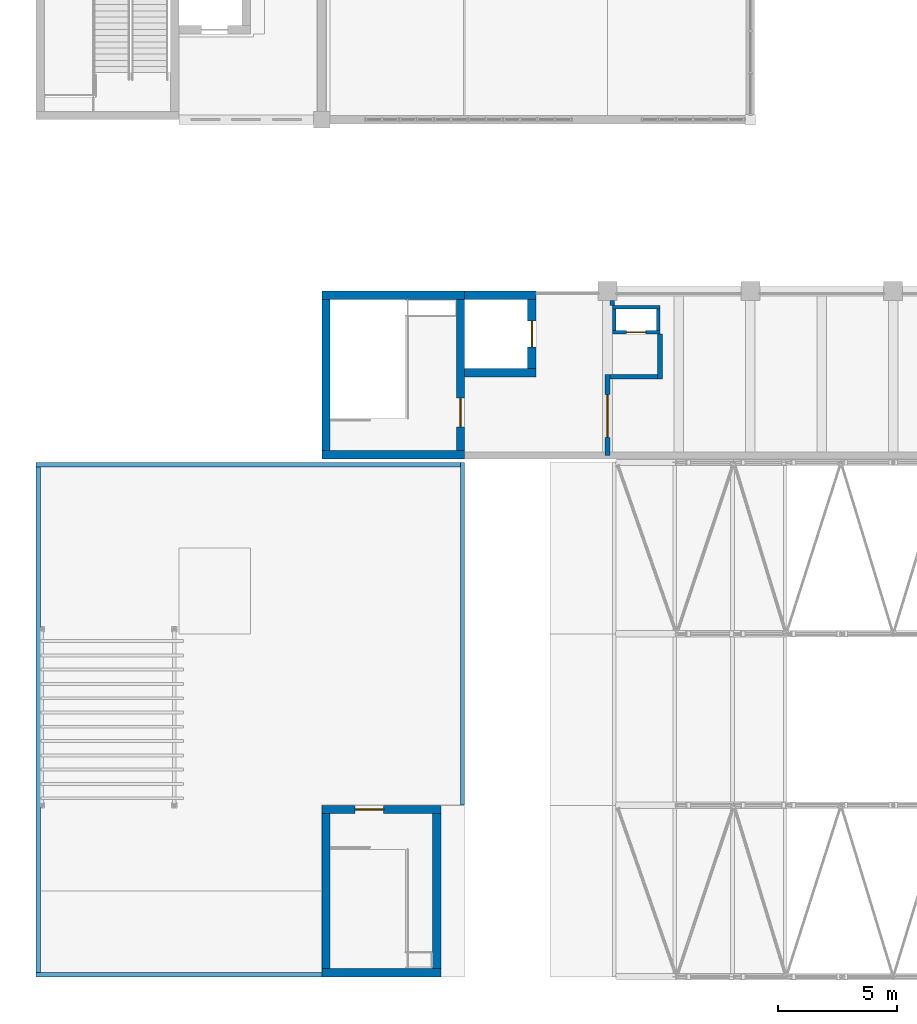
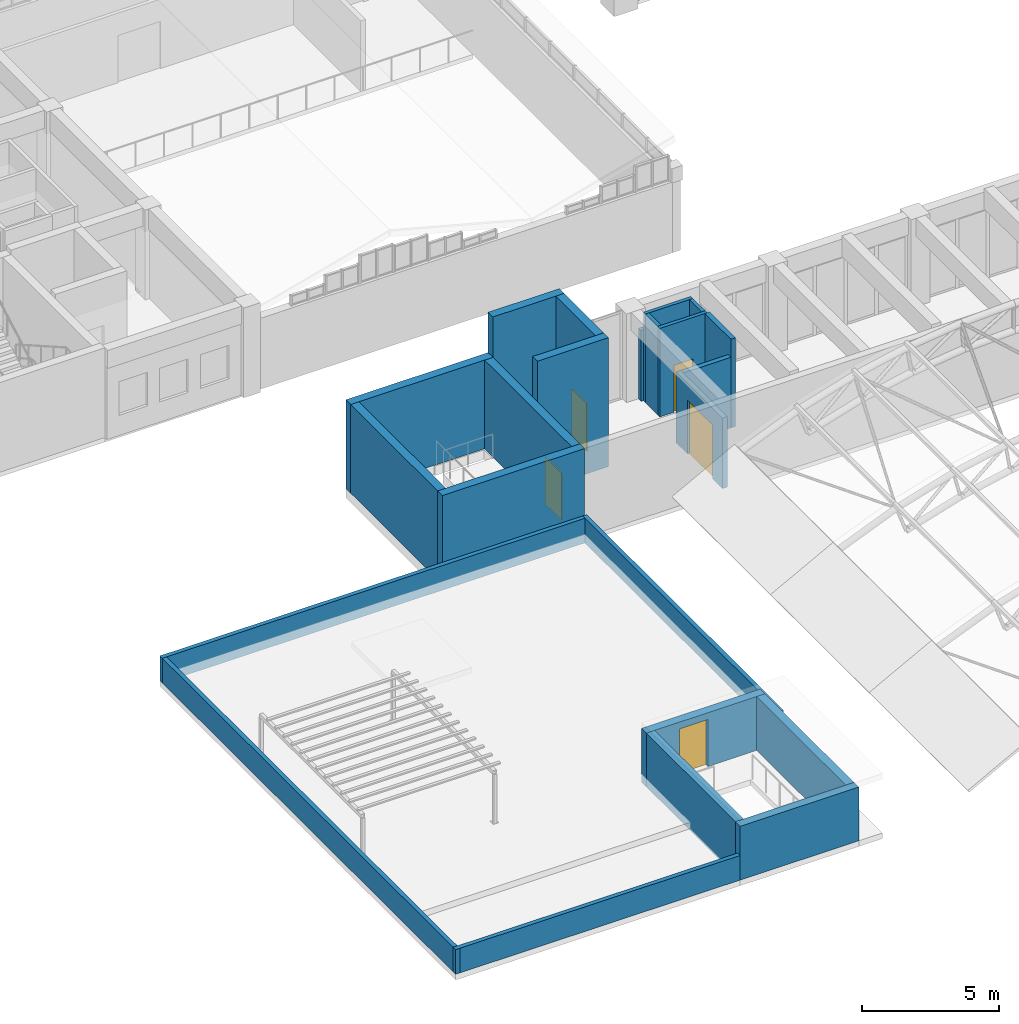
# One storey, part 60 of 92: 23 walls, 5 doors, 5 openings.
"""IFC4 building model written with IfcOpenShell, lengths in metres."""

from ifc_helpers import new_model, si_unit, direction, frame, frame_2d, origin, place, context, subcontext, project, spatial, rectangle, extrude, material, layer, layer_set, type_object, element, fill, save


model = new_model("IFC4")

# Units and contexts
model_context = context("Model", 3, precision=1e-05, world=origin(), true_north=direction((0.0, 1.0)))
body_context = subcontext(model_context, "Body", "Model", "MODEL_VIEW")
ifc_project = project(units=[si_unit("LENGTHUNIT", "METRE"), si_unit("AREAUNIT", "SQUARE_METRE"), si_unit("VOLUMEUNIT", "CUBIC_METRE"), si_unit("PLANEANGLEUNIT", "RADIAN"), si_unit("MASSUNIT", "GRAM", prefix="KILO")], contexts=[model_context])

# Site, building, storey
site_placement = place(None, origin())
site = spatial("IfcSite", under=ifc_project, at=site_placement, CompositionType="ELEMENT")
building_placement = place(site_placement, origin())
building = spatial("IfcBuilding", under=site, at=building_placement, Name="Laocheng Heights Fire and Rescue Headquarters", CompositionType="ELEMENT")
storey_placement = place(building_placement, frame((0.0, 0.0, 12.60009765625)))
storey = spatial("IfcBuildingStorey", under=building, at=storey_placement, Name="L03", CompositionType="ELEMENT", Elevation=12.60009765625)

# Wall, opening, door
ifc_material_1 = material(Name="Gypsum plaster")
ifc_layer_1 = layer(ifc_material_1, 0.010009765625, Name="PLASTER", Category="plaster")
ifc_material_2 = material(Name="Concrete blockwork MU10", Category="masonry")
ifc_layer_2 = layer(ifc_material_2, 0.179931640625, Name="BLOCKWORK", Category="masonry")
ifc_layer_3 = layer(ifc_material_1, 0.010009765625, Name="PLASTER", Category="plaster")
ifc_layer_set_1 = layer_set([ifc_layer_1, ifc_layer_2, ifc_layer_3], Name="Concrete blockwork MU10")
wall_type_1 = type_object("IfcWallType", Name="BLOCKWORK FIRE PARTITION 200 EI 60 GALLERY", PredefinedType="PARTITIONING", material=ifc_layer_set_1)
wall_1_placement = place(storey_placement, frame((24.0, 21.89990234375, 0.0), z_axis=(0.0, 0.0, 1.0), x_axis=(0.0, 1.0, 0.0)))
wall_1 = element("IfcWall", 1, at=wall_1_placement, inside=storey, type_object=wall_type_1, Name="Partition L03-001", PredefinedType="PARTITIONING", context=body_context, shape_type="SweptSolid", body=[
    extrude(rectangle(XDim=3.400146484375, YDim=0.199951171875, at=frame_2d((1.7001953125, 0.0))), origin(), (0.0, 0.0, 1.0), 3.14990234375),
])
opening_1_placement = place(wall_1_placement, frame((0.75, 0.0, 0.0)))
opening_1 = element("IfcOpeningElement", 2, at=opening_1_placement, cuts=wall_1, Name="Opening L03-M01", PredefinedType="OPENING", context=body_context, shape_type="SweptSolid", body=[
    extrude(rectangle(XDim=1.800048828125, YDim=2.39990234375, at=frame_2d((0.89990234375, 1.199951171875))), frame((0.0, 0.10986328125, 0.0), z_axis=(0.0, -1.0, 0.0), x_axis=(1.0, 0.0, 0.0)), (0.0, 0.0, 1.0), 0.219970703125),
])
ifc_material_3 = material(Name="Steel frame, fire-resistant glazing", Category="steel")
door_type_1 = type_object("IfcDoorType", Name="FIRE-RATED GLAZED DOOR 1800x2400 EI 60 GALLERY", OperationType="DOUBLE_DOOR_SINGLE_SWING", PredefinedType="DOOR", material=ifc_material_3)
door_1_placement = place(opening_1_placement, origin())
door_1 = element("IfcDoor", 3, at=door_1_placement, inside=storey, type_object=door_type_1, Name="Door L03-M01", OperationType="DOUBLE_DOOR_SINGLE_SWING", OverallHeight=2.39990234375, OverallWidth=1.800048828125, PredefinedType="DOOR", context=body_context, shape_type="SweptSolid", body=[
    extrude(rectangle(XDim=1.800048828125, YDim=2.39990234375, at=frame_2d((0.89990234375, 1.199951171875))), frame((0.0, 0.02490234375, 0.0), z_axis=(0.0, -1.0, 0.0), x_axis=(1.0, 0.0, 0.0)), (0.0, 0.0, 1.0), 0.050048828125),
])
fill(opening_1, door_1)

# Walls
wall_2_placement = place(storey_placement, frame((24.199951171875, 28.199951171875, 0.0), z_axis=(0.0, 0.0, 1.0), x_axis=(0.0, 1.0, 0.0)))
element("IfcWall", 4, at=wall_2_placement, inside=storey, type_object=wall_type_1, Name="Partition L03-002", PredefinedType="PARTITIONING", context=body_context, shape_type="SweptSolid", body=[
    extrude(rectangle(XDim=0.199951171875, YDim=0.199951171875, at=frame_2d((0.10009765625, 0.0))), origin(), (0.0, 0.0, 1.0), 3.14990234375),
])
wall_3_placement = place(storey_placement, frame((26.199951171875, 25.10009765625, 0.0), z_axis=(0.0, 0.0, 1.0), x_axis=(0.0, 1.0, 0.0)))
element("IfcWall", 5, at=wall_3_placement, inside=storey, type_object=wall_type_1, Name="Partition L03-003", PredefinedType="PARTITIONING", context=body_context, shape_type="SweptSolid", body=[
    extrude(rectangle(XDim=1.89990234375, YDim=0.199951171875, at=frame_2d((0.949951171875, 0.0))), origin(), (0.0, 0.0, 1.0), 3.949951171875),
])
wall_4_placement = place(storey_placement, frame((24.10009765625, 25.199951171875, 0.0), z_axis=(0.0, 0.0, 1.0), x_axis=(1.0, 0.0, 0.0)))
element("IfcWall", 6, at=wall_4_placement, inside=storey, type_object=wall_type_1, Name="Partition L03-007", PredefinedType="PARTITIONING", context=body_context, shape_type="SweptSolid", body=[
    extrude(rectangle(XDim=2.0, YDim=0.199951171875, at=frame_2d((1.0, 0.0))), origin(), (0.0, 0.0, 1.0), 3.14990234375),
])
ifc_material_4 = material(Name="Precast concrete C40/50", Category="concrete")
ifc_layer_4 = layer(ifc_material_4, 0.179931640625)
ifc_layer_set_2 = layer_set([ifc_layer_4], Name="Precast concrete C40/50")
wall_type_2 = type_object("IfcWallType", Name="PRECAST PARAPET 200 x 1100", PredefinedType="PARAPET", material=ifc_layer_set_2)
wall_5_placement = place(storey_placement, frame((17.909912109375, 7.219970703125, 0.0), z_axis=(0.0, 0.0, 1.0), x_axis=(0.0, 1.0, 0.0)))
element("IfcWall", 7, at=wall_5_placement, inside=storey, type_object=wall_type_2, Name="Flank W parapet", PredefinedType="PARAPET", context=body_context, shape_type="SweptSolid", body=[
    extrude(rectangle(XDim=14.380126953125, YDim=0.179931640625, at=frame_2d((7.18994140625, 0.0))), origin(), (0.0, 0.0, 1.0), 1.099853515625),
])
wall_6_placement = place(storey_placement, frame((0.0, 21.510009765625, 0.0), z_axis=(0.0, 0.0, 1.0), x_axis=(1.0, 0.0, 0.0)))
element("IfcWall", 8, at=wall_6_placement, inside=storey, type_object=wall_type_2, Name="Flank W parapet", PredefinedType="PARAPET", context=body_context, shape_type="SweptSolid", body=[
    extrude(rectangle(XDim=18.0, YDim=0.179931640625, at=frame_2d((9.0, 0.0))), origin(), (0.0, 0.0, 1.0), 1.099853515625),
])
wall_7_placement = place(storey_placement, frame((0.090087890625, 0.0, 0.0), z_axis=(0.0, 0.0, 1.0), x_axis=(0.0, 1.0, 0.0)))
element("IfcWall", 9, at=wall_7_placement, inside=storey, type_object=wall_type_2, Name="Flank W parapet", PredefinedType="PARAPET", context=body_context, shape_type="SweptSolid", body=[
    extrude(rectangle(XDim=21.60009765625, YDim=0.179931640625, at=frame_2d((10.800048828125, 0.0))), origin(), (0.0, 0.0, 1.0), 1.099853515625),
])
wall_8_placement = place(storey_placement, frame((0.0, 0.090087890625, 0.0), z_axis=(0.0, 0.0, 1.0), x_axis=(1.0, 0.0, 0.0)))
element("IfcWall", 10, at=wall_8_placement, inside=storey, type_object=wall_type_2, Name="Flank W parapet", PredefinedType="PARAPET", context=body_context, shape_type="SweptSolid", body=[
    extrude(rectangle(XDim=12.0, YDim=0.179931640625, at=frame_2d((6.0, 0.0))), origin(), (0.0, 0.0, 1.0), 1.099853515625),
])
ifc_material_5 = material(Name="Concrete C50", Category="concrete")
ifc_layer_5 = layer(ifc_material_5, 0.35009765625)
ifc_layer_set_3 = layer_set([ifc_layer_5], Name="Concrete C50")
wall_type_3 = type_object("IfcWallType", Name="RC LIFT SHAFT WALL 350", PredefinedType="SHEAR", material=ifc_layer_set_3)
for number, where, z_axis, x_axis, name in (
    (11, (18.0, 25.375, 0.0), (0.0, 0.0, 1.0), (1.0, 0.0, 0.0), "Lift shaft wall"),
    (12, (18.0, 28.625, 0.0), (0.0, 0.0, 1.0), (1.0, 0.0, 0.0), "Lift shaft wall"),
):
    element("IfcWall", number, at=place(storey_placement, frame(where, z_axis=z_axis, x_axis=x_axis)), inside=storey, type_object=wall_type_3, Name=name, PredefinedType="SHEAR", context=body_context, shape_type="SweptSolid", body=[
        extrude(rectangle(XDim=3.0, YDim=0.35009765625, at=frame_2d((1.5, 0.0))), origin(), (0.0, 0.0, 1.0), 5.75),
    ])

# Wall, opening, door
wall_9_placement = place(storey_placement, frame((20.824951171875, 25.550048828125, 0.0), z_axis=(0.0, 0.0, 1.0), x_axis=(0.0, 1.0, 0.0)))
wall_9 = element("IfcWall", 13, at=wall_9_placement, inside=storey, type_object=wall_type_3, Name="Lift shaft wall", PredefinedType="SHEAR", context=body_context, shape_type="SweptSolid", body=[
    extrude(rectangle(XDim=2.89990234375, YDim=0.35009765625, at=frame_2d((1.449951171875, 0.0))), origin(), (0.0, 0.0, 1.0), 5.75),
])
opening_2_placement = place(wall_9_placement, frame((0.89990234375, 0.0, 0.0)))
opening_2 = element("IfcOpeningElement", 14, at=opening_2_placement, cuts=wall_9, Name="Opening L03-K04", PredefinedType="OPENING", context=body_context, shape_type="SweptSolid", body=[
    extrude(rectangle(XDim=1.10009765625, YDim=2.10009765625, at=frame_2d((0.550048828125, 1.050048828125))), frame((0.0, 0.18505859375, 0.0), z_axis=(0.0, -1.0, 0.0), x_axis=(1.0, 0.0, 0.0)), (0.0, 0.0, 1.0), 0.3701171875),
])
ifc_material_6 = material(Name="Stainless steel", Category="steel")
door_type_2 = type_object("IfcDoorType", Name="LANDING DOOR G-L1 SLIDING 1100x2100 E 120", OperationType="DOUBLE_DOOR_SLIDING", PredefinedType="DOOR", material=ifc_material_6)
door_2_placement = place(opening_2_placement, origin())
door_2 = element("IfcDoor", 15, at=door_2_placement, inside=storey, type_object=door_type_2, Name="Landing door G-L1", OperationType="DOUBLE_DOOR_SLIDING", OverallHeight=2.10009765625, OverallWidth=1.10009765625, PredefinedType="DOOR", context=body_context, shape_type="SweptSolid", body=[
    extrude(rectangle(XDim=1.10009765625, YDim=2.10009765625, at=frame_2d((0.550048828125, 1.050048828125))), frame((0.0, 0.02490234375, 0.0), z_axis=(0.0, -1.0, 0.0), x_axis=(1.0, 0.0, 0.0)), (0.0, 0.0, 1.0), 0.050048828125),
])
fill(opening_2, door_2)

# Wall
ifc_material_7 = material(Name="Concrete C50", Category="concrete")
ifc_layer_6 = layer(ifc_material_7, 0.35009765625)
ifc_layer_set_4 = layer_set([ifc_layer_6], Name="Concrete C50")
wall_type_4 = type_object("IfcWallType", Name="RC STAIR ENCLOSURE WALL 350", PredefinedType="SHEAR", material=ifc_layer_set_4)
wall_10_placement = place(storey_placement, frame((12.0, 0.175048828125, 0.0), z_axis=(0.0, 0.0, 1.0), x_axis=(1.0, 0.0, 0.0)))
element("IfcWall", 16, at=wall_10_placement, inside=storey, type_object=wall_type_4, Name="Stair enclosure wall", PredefinedType="SHEAR", context=body_context, shape_type="SweptSolid", body=[
    extrude(rectangle(XDim=5.0, YDim=0.35009765625, at=frame_2d((2.5, 0.0))), origin(), (0.0, 0.0, 1.0), 2.39990234375),
])

# Wall, opening, door
wall_11_placement = place(storey_placement, frame((12.0, 7.02490234375, 0.0), z_axis=(0.0, 0.0, 1.0), x_axis=(1.0, 0.0, 0.0)))
wall_11 = element("IfcWall", 17, at=wall_11_placement, inside=storey, type_object=wall_type_4, Name="Stair enclosure wall", PredefinedType="SHEAR", context=body_context, shape_type="SweptSolid", body=[
    extrude(rectangle(XDim=5.0, YDim=0.35009765625, at=frame_2d((2.5, 0.0))), origin(), (0.0, 0.0, 1.0), 2.39990234375),
])
opening_3_placement = place(wall_11_placement, frame((1.39990234375, 0.0, 0.0)))
opening_3 = element("IfcOpeningElement", 18, at=opening_3_placement, cuts=wall_11, Name="Opening L03-K01", PredefinedType="OPENING", context=body_context, shape_type="SweptSolid", body=[
    extrude(rectangle(XDim=1.199951171875, YDim=2.10009765625, at=frame_2d((0.60009765625, 1.050048828125))), frame((0.0, 0.18505859375, 0.0), z_axis=(0.0, -1.0, 0.0), x_axis=(1.0, 0.0, 0.0)), (0.0, 0.0, 1.0), 0.3701171875),
])
ifc_material_8 = material(Name="Painted steel", Category="steel")
door_type_3 = type_object("IfcDoorType", Name="FIRE DOOR 1200x2100 EI 60", OperationType="SINGLE_SWING_LEFT", PredefinedType="DOOR", material=ifc_material_8)
door_3_placement = place(opening_3_placement, origin())
door_3 = element("IfcDoor", 19, at=door_3_placement, inside=storey, type_object=door_type_3, Name="Stair W2 garden door", OperationType="SINGLE_SWING_LEFT", OverallHeight=2.10009765625, OverallWidth=1.199951171875, PredefinedType="DOOR", context=body_context, shape_type="SweptSolid", body=[
    extrude(rectangle(XDim=1.199951171875, YDim=2.10009765625, at=frame_2d((0.60009765625, 1.050048828125))), frame((0.0, 0.02490234375, 0.0), z_axis=(0.0, -1.0, 0.0), x_axis=(1.0, 0.0, 0.0)), (0.0, 0.0, 1.0), 0.050048828125),
])
fill(opening_3, door_3)

# Walls
for number, where, z_axis, x_axis, name in (
    (20, (12.175048828125, 0.35009765625, 0.0), (0.0, 0.0, 1.0), (0.0, 1.0, 0.0), "Stair enclosure wall"),
    (21, (16.824951171875, 0.35009765625, 0.0), (0.0, 0.0, 1.0), (0.0, 1.0, 0.0), "Stair enclosure wall"),
):
    element("IfcWall", number, at=place(storey_placement, frame(where, z_axis=z_axis, x_axis=x_axis)), inside=storey, type_object=wall_type_4, Name=name, PredefinedType="SHEAR", context=body_context, shape_type="SweptSolid", body=[
        extrude(rectangle(XDim=6.5, YDim=0.35009765625, at=frame_2d((3.25, 0.0))), origin(), (0.0, 0.0, 1.0), 2.39990234375),
    ])
for number, where, z_axis, x_axis, name in (
    (22, (12.0, 21.925048828125, 0.0), (0.0, 0.0, 1.0), (1.0, 0.0, 0.0), "Stair enclosure wall"),
    (23, (12.0, 28.625, 0.0), (0.0, 0.0, 1.0), (1.0, 0.0, 0.0), "Stair enclosure wall"),
):
    element("IfcWall", number, at=place(storey_placement, frame(where, z_axis=z_axis, x_axis=x_axis)), inside=storey, type_object=wall_type_4, Name=name, PredefinedType="SHEAR", context=body_context, shape_type="SweptSolid", body=[
        extrude(rectangle(XDim=6.0, YDim=0.35009765625, at=frame_2d((3.0, 0.0))), origin(), (0.0, 0.0, 1.0), 3.949951171875),
    ])
wall_12_placement = place(storey_placement, frame((12.175048828125, 22.10009765625, 0.0), z_axis=(0.0, 0.0, 1.0), x_axis=(0.0, 1.0, 0.0)))
element("IfcWall", 24, at=wall_12_placement, inside=storey, type_object=wall_type_4, Name="Stair enclosure wall", PredefinedType="SHEAR", context=body_context, shape_type="SweptSolid", body=[
    extrude(rectangle(XDim=6.349853515625, YDim=0.35009765625, at=frame_2d((3.1748046875, 0.0))), origin(), (0.0, 0.0, 1.0), 3.949951171875),
])

# Wall, opening, door
wall_13_placement = place(storey_placement, frame((17.824951171875, 22.10009765625, 0.0), z_axis=(0.0, 0.0, 1.0), x_axis=(0.0, 1.0, 0.0)))
wall_13 = element("IfcWall", 25, at=wall_13_placement, inside=storey, type_object=wall_type_4, Name="Stair enclosure wall", PredefinedType="SHEAR", context=body_context, shape_type="SweptSolid", body=[
    extrude(rectangle(XDim=6.349853515625, YDim=0.35009765625, at=frame_2d((3.1748046875, 0.0))), origin(), (0.0, 0.0, 1.0), 3.949951171875),
])
opening_4_placement = place(wall_13_placement, frame((1.0, 0.0, 0.0)))
opening_4 = element("IfcOpeningElement", 26, at=opening_4_placement, cuts=wall_13, Name="Opening L03-K03", PredefinedType="OPENING", context=body_context, shape_type="SweptSolid", body=[
    extrude(rectangle(XDim=1.199951171875, YDim=2.10009765625, at=frame_2d((0.60009765625, 1.050048828125))), frame((0.0, 0.18505859375, 0.0), z_axis=(0.0, -1.0, 0.0), x_axis=(1.0, 0.0, 0.0)), (0.0, 0.0, 1.0), 0.3701171875),
])
door_4_placement = place(opening_4_placement, origin())
door_4 = element("IfcDoor", 27, at=door_4_placement, inside=storey, type_object=door_type_3, Name="Stair G1 door", OperationType="SINGLE_SWING_LEFT", OverallHeight=2.10009765625, OverallWidth=1.199951171875, PredefinedType="DOOR", context=body_context, shape_type="SweptSolid", body=[
    extrude(rectangle(XDim=1.199951171875, YDim=2.10009765625, at=frame_2d((0.60009765625, 1.050048828125))), frame((0.0, 0.02490234375, 0.0), z_axis=(0.0, -1.0, 0.0), x_axis=(1.0, 0.0, 0.0)), (0.0, 0.0, 1.0), 0.050048828125),
])
fill(opening_4, door_4)

ifc_material_9 = material(Name="Concrete C30", Category="concrete")
ifc_layer_7 = layer(ifc_material_9, 0.14990234375)
ifc_layer_set_5 = layer_set([ifc_layer_7], Name="Concrete C30")
wall_type_5 = type_object("IfcWallType", Name="RISER SHAFT WALL 150", PredefinedType="SOLIDWALL", material=ifc_layer_set_5)
wall_14_placement = place(storey_placement, frame((24.199951171875, 27.074951171875, 0.0), z_axis=(0.0, 0.0, 1.0), x_axis=(1.0, 0.0, 0.0)))
wall_14 = element("IfcWall", 28, at=wall_14_placement, inside=storey, type_object=wall_type_5, Name="Riser shaft wall", PredefinedType="SOLIDWALL", context=body_context, shape_type="SweptSolid", body=[
    extrude(rectangle(XDim=2.0, YDim=0.14990234375, at=frame_2d((1.0, 0.0))), origin(), (0.0, 0.0, 1.0), 3.949951171875),
])
opening_5_placement = place(wall_14_placement, frame((0.60009765625, 0.0, 0.0)))
opening_5 = element("IfcOpeningElement", 29, at=opening_5_placement, cuts=wall_14, Name="Opening L03-K05", PredefinedType="OPENING", context=body_context, shape_type="SweptSolid", body=[
    extrude(rectangle(XDim=0.800048828125, YDim=2.10009765625, at=frame_2d((0.39990234375, 1.050048828125))), frame((0.0, 0.0849609375, 0.0), z_axis=(0.0, -1.0, 0.0), x_axis=(1.0, 0.0, 0.0)), (0.0, 0.0, 1.0), 0.169921875),
])
ifc_material_10 = material(Name="Painted steel", Category="steel")
door_type_4 = type_object("IfcDoorType", Name="RISER ACCESS DOOR 800x2100 EI 30", OperationType="SINGLE_SWING_LEFT", PredefinedType="DOOR", material=ifc_material_10)
door_5_placement = place(opening_5_placement, frame((0.800048828125, 0.0, 0.0), z_axis=(0.0, 0.0, 1.0), x_axis=(-1.0, 0.0, 0.0)))
door_5 = element("IfcDoor", 30, at=door_5_placement, inside=storey, type_object=door_type_4, Name="Riser RG1 access door", OperationType="SINGLE_SWING_LEFT", OverallHeight=2.10009765625, OverallWidth=0.800048828125, PredefinedType="DOOR", context=body_context, shape_type="SweptSolid", body=[
    extrude(rectangle(XDim=0.800048828125, YDim=2.10009765625, at=frame_2d((0.39990234375, 1.050048828125))), frame((0.0, 0.02490234375, 0.0), z_axis=(0.0, -1.0, 0.0), x_axis=(1.0, 0.0, 0.0)), (0.0, 0.0, 1.0), 0.050048828125),
])
fill(opening_5, door_5)

# Walls
wall_15_placement = place(storey_placement, frame((24.199951171875, 28.125, 0.0), z_axis=(0.0, 0.0, 1.0), x_axis=(1.0, 0.0, 0.0)))
element("IfcWall", 31, at=wall_15_placement, inside=storey, type_object=wall_type_5, Name="Riser shaft wall", PredefinedType="SOLIDWALL", context=body_context, shape_type="SweptSolid", body=[
    extrude(rectangle(XDim=2.0, YDim=0.14990234375, at=frame_2d((1.0, 0.0))), origin(), (0.0, 0.0, 1.0), 3.949951171875),
])
for number, where, z_axis, x_axis, name in (
    (32, (24.27490234375, 27.14990234375, 0.0), (0.0, 0.0, 1.0), (0.0, 1.0, 0.0), "Riser shaft wall"),
    (33, (26.125, 27.14990234375, 0.0), (0.0, 0.0, 1.0), (0.0, 1.0, 0.0), "Riser shaft wall"),
):
    element("IfcWall", number, at=place(storey_placement, frame(where, z_axis=z_axis, x_axis=x_axis)), inside=storey, type_object=wall_type_5, Name=name, PredefinedType="SOLIDWALL", context=body_context, shape_type="SweptSolid", body=[
        extrude(rectangle(XDim=0.900146484375, YDim=0.14990234375, at=frame_2d((0.4501953125, 0.0))), origin(), (0.0, 0.0, 1.0), 3.949951171875),
    ])

save(model, "model.ifc")
